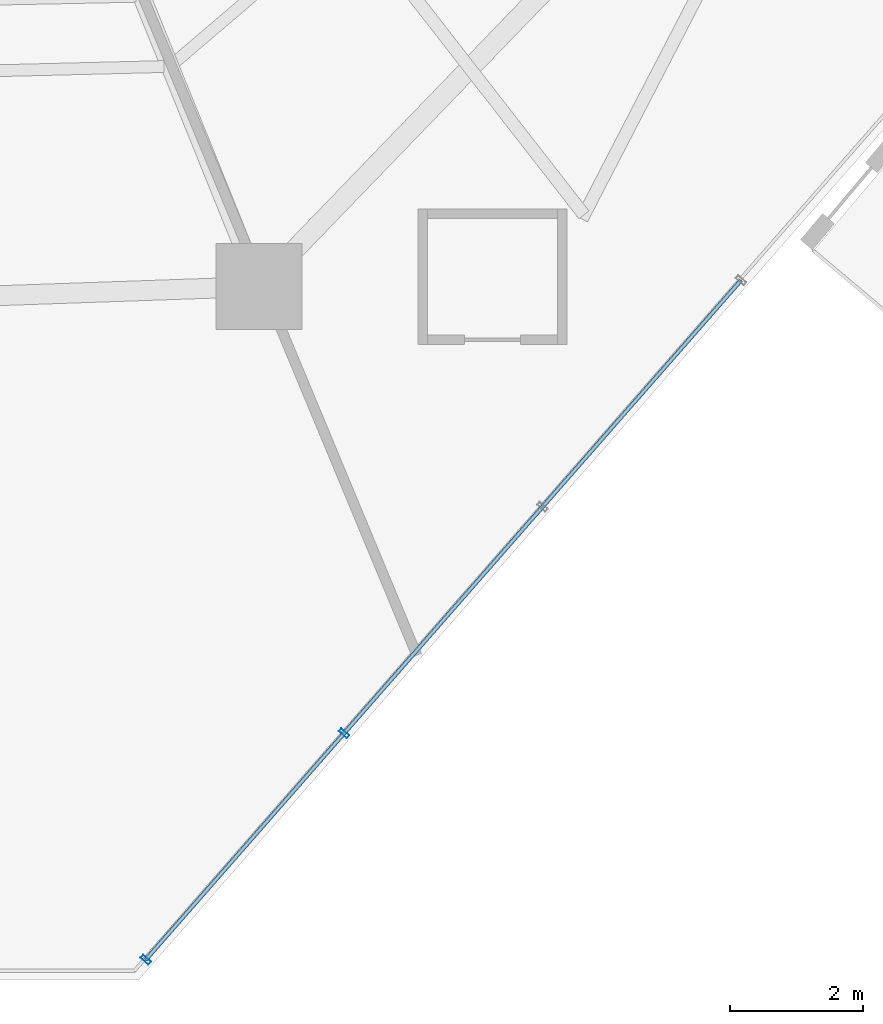
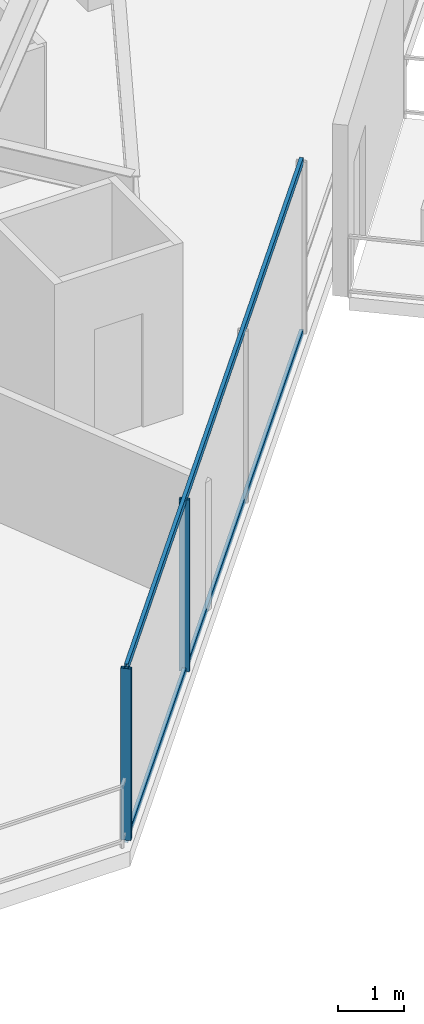
# One storey, part 5 of 33: 4 members, 1 element without a shape of its own.
"""IFC4 building model written with IfcOpenShell, lengths in metres."""

from ifc_helpers import new_model, si_unit, direction, frame, origin, origin_2d, place, context, subcontext, project, spatial, hollow_rectangle, extrude, material, layer, layer_set, material_profile, profile_set, type_object, element, aggregate, save


model = new_model("IFC4")

# Units and contexts
model_context = context("Model", 3, precision=1e-05, world=origin(), true_north=direction((0.0, 1.0)))
body_context = subcontext(model_context, "Body", "Model", "MODEL_VIEW")
ifc_project = project(units=[si_unit("LENGTHUNIT", "METRE"), si_unit("AREAUNIT", "SQUARE_METRE"), si_unit("VOLUMEUNIT", "CUBIC_METRE"), si_unit("PLANEANGLEUNIT", "RADIAN"), si_unit("MASSUNIT", "GRAM", prefix="KILO")], contexts=[model_context])

# Site, building, storey
site_placement = place(None, origin())
site = spatial("IfcSite", under=ifc_project, at=site_placement, CompositionType="ELEMENT")
building_placement = place(site_placement, origin())
building = spatial("IfcBuilding", under=site, at=building_placement, Name="Qarnah Convention Tower", CompositionType="ELEMENT")
storey_placement = place(building_placement, frame((0.0, 0.0, 30.449951171875)))
storey = spatial("IfcBuildingStorey", under=building, at=storey_placement, Name="L06", CompositionType="ELEMENT", Elevation=30.449951171875)

# Curtain wall, members
ifc_material_1 = material(Name="Tempered Low-E dark glass", Category="glass")
ifc_layer = layer(ifc_material_1, 0.16796875)
ifc_layer_set = layer_set([ifc_layer], Name="Tempered Low-E dark glass")
curtain_wall_type = type_object("IfcCurtainWallType", Name="CWS-01", PredefinedType="NOTDEFINED", material=ifc_layer_set)
curtain_wall_placement = place(storey_placement, origin())
curtain_wall = element("IfcCurtainWall", 1, at=curtain_wall_placement, inside=storey, type_object=curtain_wall_type, Name="L06 unitised curtain wall CW-L06-F4", PredefinedType="NOTDEFINED")
ifc_material_2 = material(Name="Black anodised aluminium", Category="aluminium")
ifc_material_profile_1 = material_profile(ifc_material_2, hollow_rectangle(XDim=0.06005859375, YDim=0.159912109375, WallThickness=0.00390625, at=origin_2d()), Name="MUL-60X160")
ifc_profile_set_1 = profile_set([ifc_material_profile_1], Name="Black anodised aluminium")
member_type_1 = type_object("IfcMemberType", Name="MUL-T1", PredefinedType="MULLION", material=ifc_profile_set_1)
member_1_placement = place(storey_placement, frame((44.6845703125, 4.319580078125, 0.0), z_axis=(0.0, 0.0, 1.0), x_axis=(-0.658982702781, -0.752158093379, 0.0)))
member_1 = element("IfcMember", 2, at=member_1_placement, type_object=member_type_1, Name="CW-L06-F4 mullion 3", PredefinedType="MULLION", context=body_context, shape_type="SweptSolid", body=[
    extrude(hollow_rectangle(XDim=0.06005859375, YDim=0.159912109375, WallThickness=0.00390625, at=origin_2d()), origin(), (0.0, 0.0, 1.0), 3.170166015625),
])
member_2_placement = place(storey_placement, frame((41.693115234375, 0.905029296875, 0.0), z_axis=(0.0, 0.0, 1.0), x_axis=(-0.658982702781, -0.752158093379, 0.0)))
member_2 = element("IfcMember", 3, at=member_2_placement, type_object=member_type_1, Name="CW-L06-F4 mullion 4", PredefinedType="MULLION", context=body_context, shape_type="SweptSolid", body=[
    extrude(hollow_rectangle(XDim=0.06005859375, YDim=0.159912109375, WallThickness=0.00390625, at=origin_2d()), origin(), (0.0, 0.0, 1.0), 3.170166015625),
])
ifc_material_profile_2 = material_profile(ifc_material_2, hollow_rectangle(XDim=0.06005859375, YDim=0.1298828125, WallThickness=0.00390625, at=origin_2d()), Name="TRN-60X130")
ifc_profile_set_2 = profile_set([ifc_material_profile_2], Name="Black anodised aluminium")
member_type_2 = type_object("IfcMemberType", Name="TRN-T1", PredefinedType="USERDEFINED", material=ifc_profile_set_2)
member_3_placement = place(storey_placement, frame((50.66796875, 11.14892578125, 0.0), z_axis=(-0.658980389657, -0.752160119953, 0.0), x_axis=(0.752160119953, -0.658980389657, 0.0)))
member_3 = element("IfcMember", 4, at=member_3_placement, type_object=member_type_2, Name="CW-L06-F4 transom 1", ObjectType="TRANSOM", PredefinedType="USERDEFINED", context=body_context, shape_type="SweptSolid", body=[
    extrude(hollow_rectangle(XDim=0.06005859375, YDim=0.1298828125, WallThickness=0.00390625, at=origin_2d()), origin(), (0.0, 0.0, 1.0), 13.619384765625),
])
member_4_placement = place(storey_placement, frame((50.66796875, 11.14892578125, 3.170166015625), z_axis=(-0.658980389657, -0.752160119953, 0.0), x_axis=(0.752160119953, -0.658980389657, 0.0)))
member_4 = element("IfcMember", 5, at=member_4_placement, type_object=member_type_2, Name="CW-L06-F4 transom 2", ObjectType="TRANSOM", PredefinedType="USERDEFINED", context=body_context, shape_type="SweptSolid", body=[
    extrude(hollow_rectangle(XDim=0.06005859375, YDim=0.1298828125, WallThickness=0.00390625, at=origin_2d()), origin(), (0.0, 0.0, 1.0), 13.619384765625),
])
aggregate(curtain_wall, [member_1, member_2, member_3, member_4])

save(model, "model.ifc")
